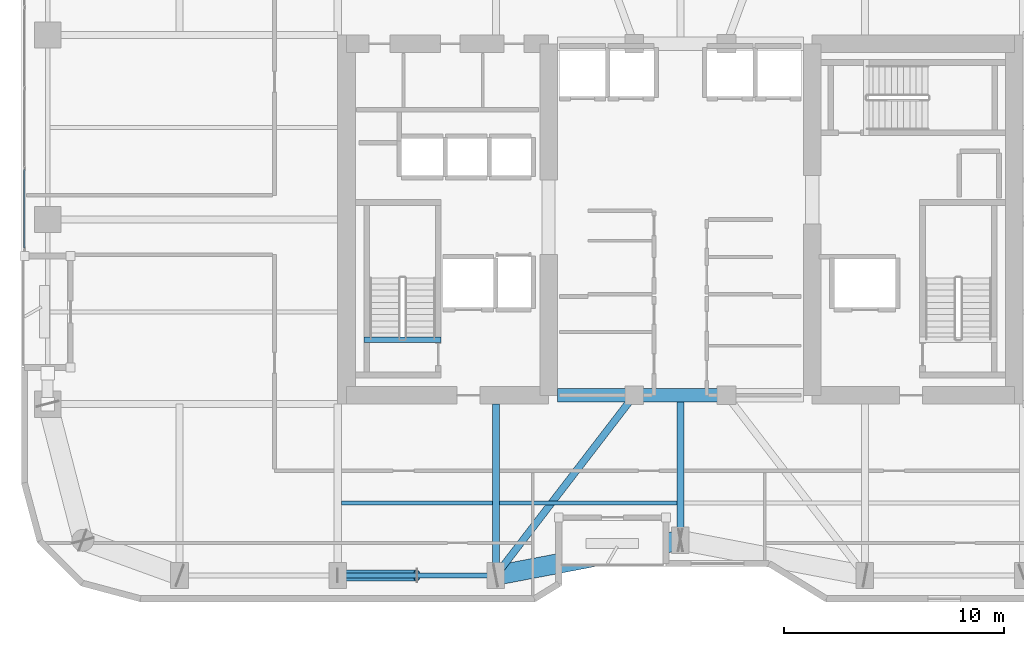
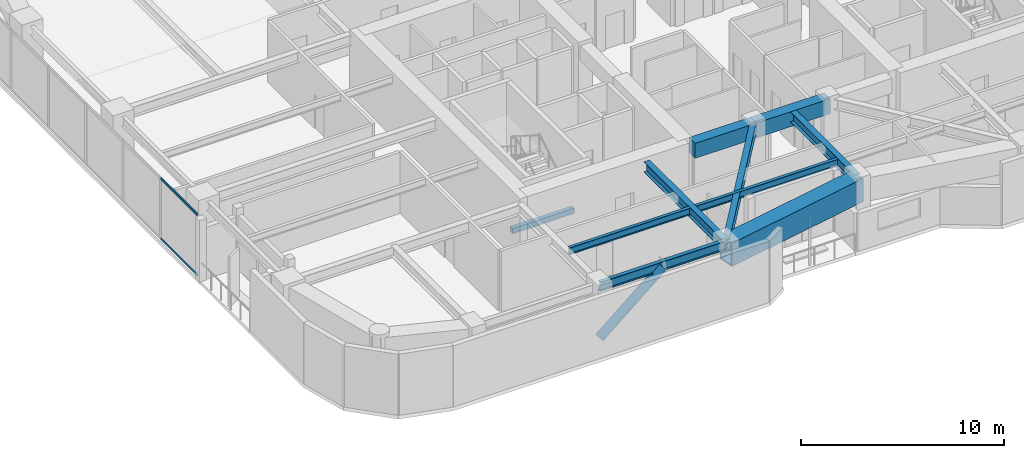
# One storey, part 3 of 30: 10 beams, 3 members, 1 element without a shape of its own.
"""IFC4 building model written with IfcOpenShell, lengths in metres."""

from ifc_helpers import new_model, si_unit, direction, frame, origin, origin_2d, place, context, subcontext, project, spatial, rectangle, hollow_rectangle, hollow_circle, i_section, extrude, material, layer, layer_set, material_profile, profile_set, type_object, element, aggregate, save


model = new_model("IFC4")

# Units and contexts
model_context = context("Model", 3, precision=1e-05, world=origin(), true_north=direction((0.0, 1.0)))
body_context = subcontext(model_context, "Body", "Model", "MODEL_VIEW")
ifc_project = project(units=[si_unit("LENGTHUNIT", "METRE"), si_unit("AREAUNIT", "SQUARE_METRE"), si_unit("VOLUMEUNIT", "CUBIC_METRE"), si_unit("PLANEANGLEUNIT", "RADIAN"), si_unit("MASSUNIT", "GRAM", prefix="KILO")], contexts=[model_context])

# Site, building, storey
site_placement = place(None, origin())
site = spatial("IfcSite", under=ifc_project, at=site_placement, CompositionType="ELEMENT")
building_placement = place(site_placement, origin())
building = spatial("IfcBuilding", under=site, at=building_placement, Name="Kiyonajd Concourse Tower", CompositionType="ELEMENT")
storey_placement = place(building_placement, frame((0.0, 0.0, 174.0)))
storey = spatial("IfcBuildingStorey", under=building, at=storey_placement, Name="L44", CompositionType="ELEMENT", Elevation=174.0)

# Beams
ifc_material_1 = material(Name="Concrete C60/75", Category="concrete")
ifc_material_profile_1 = material_profile(ifc_material_1, rectangle(XDim=0.60009765625, YDim=0.89990234375, at=origin_2d()), Name="RCBM-600x900")
ifc_profile_set_1 = profile_set([ifc_material_profile_1], Name="Concrete C60/75")
beam_type_1 = type_object("IfcBeamType", Name="BM-COUP-900", PredefinedType="LINTEL", material=ifc_profile_set_1)
beam_1_placement = place(storey_placement, frame((42.39990234375, 28.0, 3.22998046875), z_axis=(1.0, 0.0, 0.0), x_axis=(0.0, 1.0, 0.0)))
element("IfcBeam", 1, at=beam_1_placement, inside=storey, type_object=beam_type_1, Name="L44 Core Coupling Beam S1", PredefinedType="LINTEL", context=body_context, shape_type="SweptSolid", body=[
    extrude(rectangle(XDim=0.60009765625, YDim=0.89990234375, at=origin_2d()), origin(), (0.0, 0.0, 1.0), 3.5),
])
beam_2_placement = place(storey_placement, frame((45.89990234375, 28.0, 3.22998046875), z_axis=(1.0, 0.0, 0.0), x_axis=(0.0, 1.0, 0.0)))
element("IfcBeam", 2, at=beam_2_placement, inside=storey, type_object=beam_type_1, Name="L44 Core Coupling Beam S2", PredefinedType="LINTEL", context=body_context, shape_type="SweptSolid", body=[
    extrude(rectangle(XDim=0.60009765625, YDim=0.89990234375, at=origin_2d()), origin(), (0.0, 0.0, 1.0), 4.2001953125),
])
ifc_material_2 = material(Name="Steel ASTM A992 Grade 50", Category="steel")
ifc_material_profile_2 = material_profile(ifc_material_2, i_section(OverallWidth=0.180908203125, OverallDepth=0.4169921875, WebThickness=0.010986328125, FlangeThickness=0.018310546875, at=origin_2d()), Name="W410X85")
ifc_profile_set_2 = profile_set([ifc_material_profile_2], Name="Steel ASTM A992 Grade 50")
beam_type_2 = type_object("IfcBeamType", Name="BM-JST-410", PredefinedType="JOIST", material=ifc_profile_set_2)
beam_3_placement = place(storey_placement, frame((32.5634765625, 23.10009765625, 3.471435546875), z_axis=(1.0, 0.0, 0.0), x_axis=(0.0, 1.0, 0.0)))
element("IfcBeam", 3, at=beam_3_placement, inside=storey, type_object=beam_type_2, Name="L44 Secondary Floor Joist", PredefinedType="JOIST", context=body_context, shape_type="SweptSolid", body=[
    extrude(i_section(OverallWidth=0.180908203125, OverallDepth=0.4169921875, WebThickness=0.010986328125, FlangeThickness=0.018310546875, at=origin_2d()), origin(), (0.0, 0.0, 1.0), 6.873046875),
])
beam_4_placement = place(storey_placement, frame((39.763427734375, 23.10009765625, 3.471435546875), z_axis=(1.0, 0.0, 0.0), x_axis=(0.0, 1.0, 0.0)))
element("IfcBeam", 4, at=beam_4_placement, inside=storey, type_object=beam_type_2, Name="L44 Secondary Floor Joist", PredefinedType="JOIST", context=body_context, shape_type="SweptSolid", body=[
    extrude(i_section(OverallWidth=0.180908203125, OverallDepth=0.4169921875, WebThickness=0.010986328125, FlangeThickness=0.018310546875, at=origin_2d()), origin(), (0.0, 0.0, 1.0), 8.072998046875),
])
ifc_material_3 = material(Name="Concrete C50/60", Category="concrete")
ifc_material_profile_3 = material_profile(ifc_material_3, rectangle(XDim=0.239990234375, YDim=0.320068359375, at=origin_2d()), Name="RCBM-240x320")
ifc_profile_set_3 = profile_set([ifc_material_profile_3], Name="Concrete C50/60")
beam_type_3 = type_object("IfcBeamType", Name="BM-LNT-250", PredefinedType="LINTEL", material=ifc_profile_set_3)
beam_5_placement = place(storey_placement, frame((33.590087890625, 30.530029296875, -0.159912109375), z_axis=(1.0, 0.0, 0.0), x_axis=(0.0, 1.0, 0.0)))
element("IfcBeam", 5, at=beam_5_placement, inside=storey, type_object=beam_type_3, Name="L44 Stair ST1 Threshold Support Beam", PredefinedType="LINTEL", context=body_context, shape_type="SweptSolid", body=[
    extrude(rectangle(XDim=0.239990234375, YDim=0.320068359375, at=origin_2d()), origin(), (0.0, 0.0, 1.0), 3.52001953125),
])
ifc_material_profile_4 = material_profile(ifc_material_2, i_section(OverallWidth=0.214111328125, OverallDepth=0.549072265625, WebThickness=0.0146484375, FlangeThickness=0.023681640625, at=origin_2d()), Name="W530X138")
ifc_profile_set_4 = profile_set([ifc_material_profile_4], Name="Steel ASTM A992 Grade 50")
beam_type_4 = type_object("IfcBeamType", Name="BM-SPAN-530A", PredefinedType="SPANDREL", material=ifc_profile_set_4)
beam_6_placement = place(storey_placement, frame((32.39990234375, 19.800048828125, 3.405517578125), z_axis=(1.0, 0.0, 0.0), x_axis=(0.0, 1.0, 0.0)))
element("IfcBeam", 6, at=beam_6_placement, inside=storey, type_object=beam_type_4, Name="L44 Perimeter Bundled Tube Spandrel", PredefinedType="SPANDREL", context=body_context, shape_type="SweptSolid", body=[
    extrude(i_section(OverallWidth=0.214111328125, OverallDepth=0.549072265625, WebThickness=0.0146484375, FlangeThickness=0.023681640625, at=origin_2d()), origin(), (0.0, 0.0, 1.0), 7.2001953125),
])
ifc_material_profile_5 = material_profile(ifc_material_2, i_section(OverallWidth=0.326904296875, OverallDepth=0.6220703125, WebThickness=0.015380859375, FlangeThickness=0.0244140625, at=origin_2d()), Name="W610X195")
ifc_profile_set_5 = profile_set([ifc_material_profile_5], Name="Steel ASTM A992 Grade 50")
beam_type_5 = type_object("IfcBeamType", Name="BM-TWR-610A", PredefinedType="BEAM", material=ifc_profile_set_5)
beam_7_placement = place(storey_placement, frame((39.60009765625, 19.800048828125, 3.368896484375), z_axis=(0.609233709922, 0.792990722956, 0.0), x_axis=(-0.792990722956, 0.609233709922, 0.0)))
element("IfcBeam", 7, at=beam_7_placement, inside=storey, type_object=beam_type_5, Name="L44 Core Tie Girder", PredefinedType="BEAM", context=body_context, shape_type="SweptSolid", body=[
    extrude(i_section(OverallWidth=0.326904296875, OverallDepth=0.6220703125, WebThickness=0.015380859375, FlangeThickness=0.0244140625, at=origin_2d()), origin(), (0.0, 0.0, 1.0), 10.340576171875),
])
beam_8_placement = place(storey_placement, frame((39.60009765625, 19.800048828125, 3.368896484375), z_axis=(0.0, 1.0, 0.0), x_axis=(-1.0, 0.0, 0.0)))
element("IfcBeam", 8, at=beam_8_placement, inside=storey, type_object=beam_type_5, Name="L44 South Lease Girder", PredefinedType="BEAM", context=body_context, shape_type="SweptSolid", body=[
    extrude(i_section(OverallWidth=0.326904296875, OverallDepth=0.6220703125, WebThickness=0.015380859375, FlangeThickness=0.0244140625, at=origin_2d()), origin(), (0.0, 0.0, 1.0), 7.800048828125),
])
beam_9_placement = place(storey_placement, frame((48.0, 21.39990234375, 3.368896484375), z_axis=(0.0, 1.0, 0.0), x_axis=(-1.0, 0.0, 0.0)))
element("IfcBeam", 9, at=beam_9_placement, inside=storey, type_object=beam_type_5, Name="L44 South Ribbon Girder", PredefinedType="BEAM", context=body_context, shape_type="SweptSolid", body=[
    extrude(i_section(OverallWidth=0.326904296875, OverallDepth=0.6220703125, WebThickness=0.015380859375, FlangeThickness=0.0244140625, at=origin_2d()), origin(), (0.0, 0.0, 1.0), 6.60009765625),
])
ifc_material_4 = material(Name="Steel ASTM A572 Grade 50", Category="steel")
ifc_material_profile_6 = material_profile(ifc_material_4, hollow_rectangle(XDim=0.89990234375, YDim=1.39990234375, WallThickness=0.070068359375, at=origin_2d()), Name="BOX-1400x900x70")
ifc_profile_set_6 = profile_set([ifc_material_profile_6], Name="Steel ASTM A572 Grade 50")
beam_type_6 = type_object("IfcBeamType", Name="BM-XFER-1400", PredefinedType="BEAM", material=ifc_profile_set_6)
beam_10_placement = place(storey_placement, frame((39.60009765625, 19.800048828125, 2.97998046875), z_axis=(0.982341315253, 0.187097675953, 0.0), x_axis=(-0.187097675953, 0.982341315253, 0.0)))
element("IfcBeam", 10, at=beam_10_placement, inside=storey, type_object=beam_type_6, Name="L44 Perimeter Bundled Tube Spandrel", PredefinedType="BEAM", context=body_context, shape_type="SweptSolid", body=[
    extrude(hollow_rectangle(XDim=0.89990234375, YDim=1.39990234375, WallThickness=0.070068359375, at=origin_2d()), origin(), (0.0, 0.0, 1.0), 8.55078125),
])

# Curtain wall, members
ifc_material_5 = material(Name="Thermally Broken Anodised Aluminium", Category="aluminium")
ifc_layer = layer(ifc_material_5, 0.179931640625)
ifc_layer_set = layer_set([ifc_layer], Name="Thermally Broken Anodised Aluminium")
curtain_wall_type = type_object("IfcCurtainWallType", Name="CW-SYS-03", PredefinedType="NOTDEFINED", material=ifc_layer_set)
curtain_wall_placement = place(storey_placement, origin())
curtain_wall = element("IfcCurtainWall", 11, at=curtain_wall_placement, inside=storey, type_object=curtain_wall_type, Name="L44 Unitised Curtain Wall CW3", PredefinedType="NOTDEFINED")
ifc_material_profile_7 = material_profile(ifc_material_5, hollow_rectangle(XDim=0.06494140625, YDim=0.139892578125, WallThickness=0.00390625, at=origin_2d()), Name="TRAN-65x140")
ifc_profile_set_7 = profile_set([ifc_material_profile_7], Name="Thermally Broken Anodised Aluminium")
member_type_1 = type_object("IfcMemberType", Name="MB-CW-TRAN1", PredefinedType="USERDEFINED", material=ifc_profile_set_7)
member_1_placement = place(storey_placement, frame((18.139892578125, 34.695068359375, 0.032470703125), z_axis=(0.0, 1.0, 0.0), x_axis=(-1.0, 0.0, 0.0)))
member_1 = element("IfcMember", 12, at=member_1_placement, type_object=member_type_1, Name="CW3 transom 1.1", ObjectType="TRANSOM", PredefinedType="USERDEFINED", context=body_context, shape_type="SweptSolid", body=[
    extrude(hollow_rectangle(XDim=0.06494140625, YDim=0.139892578125, WallThickness=0.00390625, at=origin_2d()), origin(), (0.0, 0.0, 1.0), 3.579345703125),
])
member_2_placement = place(storey_placement, frame((18.139892578125, 34.695068359375, 3.6474609375), z_axis=(0.0, 1.0, 0.0), x_axis=(-1.0, 0.0, 0.0)))
member_2 = element("IfcMember", 13, at=member_2_placement, type_object=member_type_1, Name="CW3 transom 1.2", ObjectType="TRANSOM", PredefinedType="USERDEFINED", context=body_context, shape_type="SweptSolid", body=[
    extrude(hollow_rectangle(XDim=0.06494140625, YDim=0.139892578125, WallThickness=0.00390625, at=origin_2d()), origin(), (0.0, 0.0, 1.0), 3.579345703125),
])
aggregate(curtain_wall, [member_1, member_2])

# Member
ifc_material_6 = material(Name="Steel ASTM A500 Grade C", Category="steel")
ifc_material_profile_8 = material_profile(ifc_material_6, hollow_circle(Radius=0.25390625, WallThickness=0.02197265625, at=origin_2d()), Name="CHS-508x22")
ifc_profile_set_8 = profile_set([ifc_material_profile_8], Name="Steel ASTM A500 Grade C")
member_type_2 = type_object("IfcMemberType", Name="MB-PB-MID", PredefinedType="BRACE", material=ifc_profile_set_8)
member_3_placement = place(storey_placement, frame((32.39990234375, 19.800048828125, 0.300048828125), z_axis=(0.765082043761, 0.0, 0.643932811957), x_axis=(0.0, 1.0, 0.0)))
element("IfcMember", 14, at=member_3_placement, inside=storey, type_object=member_type_2, Name="L44 Upper Zone Hollow Tube Brace PBS", PredefinedType="BRACE", context=body_context, shape_type="SweptSolid", body=[
    extrude(hollow_circle(Radius=0.25390625, WallThickness=0.02197265625, at=origin_2d()), origin(), (0.0, 0.0, 1.0), 4.70556640625),
])

save(model, "model.ifc")
